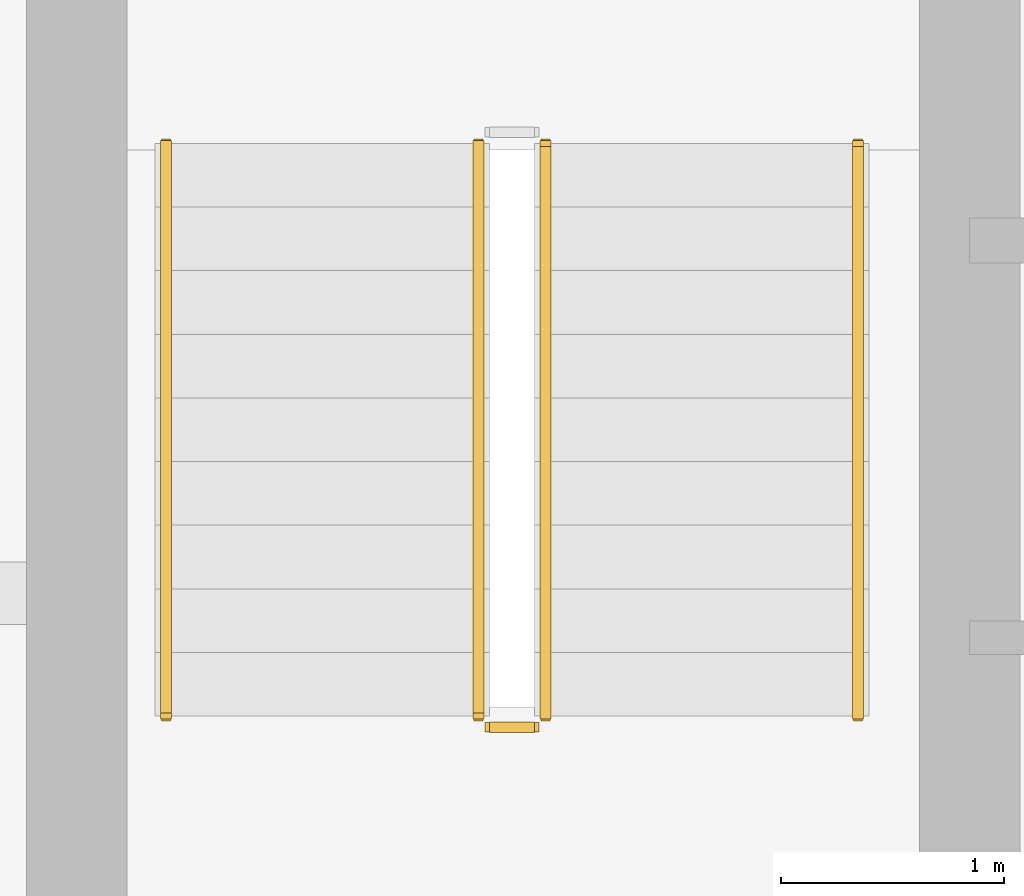
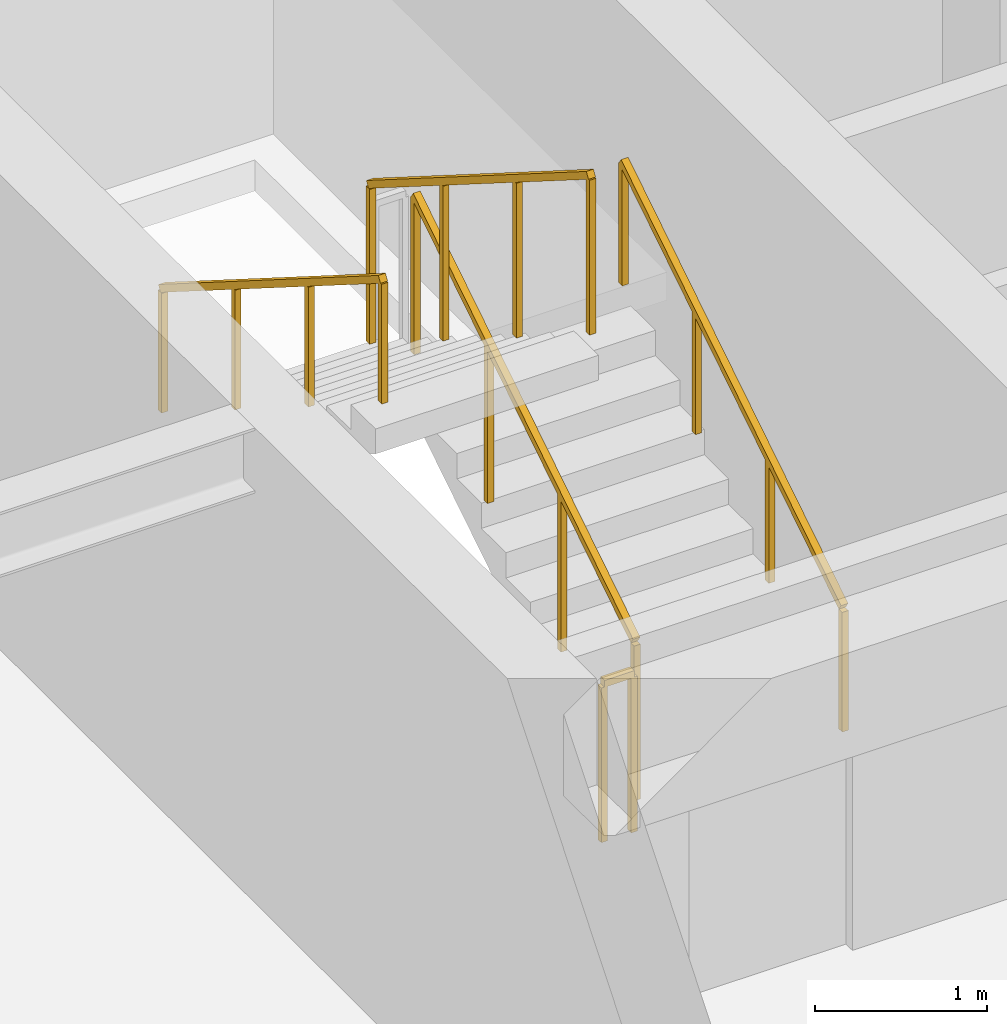
# One storey, part 25 of 27: 5 railings.
"""IFC4 building model written with IfcOpenShell, lengths in metres."""

from ifc_helpers import new_model, si_unit, direction, frame, origin, origin_2d, place, context, subcontext, project, spatial, rectangle, extrude, material, type_object, element, save


model = new_model("IFC4")

# Units and contexts
model_context = context("Model", 3, precision=1e-05, world=origin(), true_north=direction((0.0, 1.0)))
body_context = subcontext(model_context, "Body", "Model", "MODEL_VIEW")
ifc_project = project(units=[si_unit("LENGTHUNIT", "METRE"), si_unit("AREAUNIT", "SQUARE_METRE"), si_unit("VOLUMEUNIT", "CUBIC_METRE"), si_unit("PLANEANGLEUNIT", "RADIAN"), si_unit("MASSUNIT", "GRAM", prefix="KILO")], contexts=[model_context])

# Site, building, storey
site_placement = place(None, origin())
site = spatial("IfcSite", under=ifc_project, at=site_placement, CompositionType="ELEMENT")
building_placement = place(site_placement, origin())
building = spatial("IfcBuilding", under=site, at=building_placement, Name="Sarneth Arch Tower", CompositionType="ELEMENT")
storey_placement = place(building_placement, frame((0.0, 0.0, 150.60009765625)))
storey = spatial("IfcBuildingStorey", under=building, at=storey_placement, Name="L37", CompositionType="ELEMENT", Elevation=150.60009765625)

# Railings
ifc_material_1 = material(Name="Brushed Stainless Steel 304 tubular handrail", Category="steel")
railing_type_1 = type_object("IfcRailingType", Name="RAIL-HANDRAIL-900", PredefinedType="HANDRAIL", material=ifc_material_1)
railing_1_placement = place(storey_placement, frame((40.5, 41.449951171875, 0.179931640625)))
element("IfcRailing", 1, at=railing_1_placement, inside=storey, type_object=railing_type_1, Name="L37 ST-1 stair handrail 1", PredefinedType="HANDRAIL", context=body_context, shape_type="SweptSolid", body=[
    extrude(rectangle(XDim=0.048095703125, YDim=0.048095703125, at=origin_2d()), frame((0.0, 0.0, 0.8759765625), z_axis=(0.0, 0.845502289212, 0.533971796014), x_axis=(-1.0, 0.0, 0.0)), (0.0, 0.0, 1.0), 3.03369140625),
    extrude(rectangle(XDim=0.0419921875, YDim=0.0419921875, at=origin_2d()), origin(), (0.0, 0.0, 1.0), 0.851806640625),
    extrude(rectangle(XDim=0.0419921875, YDim=0.0419921875, at=origin_2d()), frame((0.0, 0.85498046875, 0.5400390625)), (0.0, 0.0, 1.0), 0.851806640625),
    extrude(rectangle(XDim=0.0419921875, YDim=0.0419921875, at=origin_2d()), frame((0.0, 1.7099609375, 1.079833984375)), (0.0, 0.0, 1.0), 0.851806640625),
    extrude(rectangle(XDim=0.0419921875, YDim=0.0419921875, at=origin_2d()), frame((0.0, 2.56494140625, 1.619873046875)), (0.0, 0.0, 1.0), 0.851806640625),
])
railing_2_placement = place(storey_placement, frame((37.39990234375, 44.014892578125, 1.97998046875)))
element("IfcRailing", 2, at=railing_2_placement, inside=storey, type_object=railing_type_1, Name="L37 ST-1 stair handrail 2", PredefinedType="HANDRAIL", context=body_context, shape_type="SweptSolid", body=[
    extrude(rectangle(XDim=0.048095703125, YDim=0.048095703125, at=origin_2d()), frame((0.0, 0.0, 0.8759765625), z_axis=(0.0, -0.845502289212, 0.533971796014), x_axis=(1.0, 0.0, 0.0)), (0.0, 0.0, 1.0), 3.03369140625),
    extrude(rectangle(XDim=0.0419921875, YDim=0.0419921875, at=origin_2d()), origin(), (0.0, 0.0, 1.0), 0.851806640625),
    extrude(rectangle(XDim=0.0419921875, YDim=0.0419921875, at=origin_2d()), frame((0.0, -0.85498046875, 0.5400390625)), (0.0, 0.0, 1.0), 0.851806640625),
    extrude(rectangle(XDim=0.0419921875, YDim=0.0419921875, at=origin_2d()), frame((0.0, -1.7099609375, 1.079833984375)), (0.0, 0.0, 1.0), 0.851806640625),
    extrude(rectangle(XDim=0.0419921875, YDim=0.0419921875, at=origin_2d()), frame((0.0, -2.56494140625, 1.619873046875)), (0.0, 0.0, 1.0), 0.851806640625),
])
ifc_material_2 = material(Name="Painted Steel S275 stair well guard", Category="steel")
railing_type_2 = type_object("IfcRailingType", Name="RAIL-STAIR-GUARD", PredefinedType="GUARDRAIL", material=ifc_material_2)
railing_3_placement = place(storey_placement, frame((39.10009765625, 41.449951171875, 0.179931640625)))
element("IfcRailing", 3, at=railing_3_placement, inside=storey, type_object=railing_type_2, Name="L37 ST-1 stair guard 1", PredefinedType="GUARDRAIL", context=body_context, shape_type="SweptSolid", body=[
    extrude(rectangle(XDim=0.048095703125, YDim=0.048095703125, at=origin_2d()), frame((0.0, 0.0, 1.1259765625), z_axis=(0.0, 0.845502289212, 0.533971796014), x_axis=(-1.0, 0.0, 0.0)), (0.0, 0.0, 1.0), 3.03369140625),
    extrude(rectangle(XDim=0.0419921875, YDim=0.0419921875, at=origin_2d()), origin(), (0.0, 0.0, 1.0), 1.101806640625),
    extrude(rectangle(XDim=0.0419921875, YDim=0.0419921875, at=origin_2d()), frame((0.0, 0.85498046875, 0.5400390625)), (0.0, 0.0, 1.0), 1.101806640625),
    extrude(rectangle(XDim=0.0419921875, YDim=0.0419921875, at=origin_2d()), frame((0.0, 1.7099609375, 1.079833984375)), (0.0, 0.0, 1.0), 1.101806640625),
    extrude(rectangle(XDim=0.0419921875, YDim=0.0419921875, at=origin_2d()), frame((0.0, 2.56494140625, 1.619873046875)), (0.0, 0.0, 1.0), 1.101806640625),
])
railing_4_placement = place(storey_placement, frame((38.800048828125, 44.014892578125, 1.97998046875)))
element("IfcRailing", 4, at=railing_4_placement, inside=storey, type_object=railing_type_2, Name="L37 ST-1 stair guard 3", PredefinedType="GUARDRAIL", context=body_context, shape_type="SweptSolid", body=[
    extrude(rectangle(XDim=0.048095703125, YDim=0.048095703125, at=origin_2d()), frame((0.0, 0.0, 1.1259765625), z_axis=(0.0, -0.845502289212, 0.533971796014), x_axis=(1.0, 0.0, 0.0)), (0.0, 0.0, 1.0), 3.03369140625),
    extrude(rectangle(XDim=0.0419921875, YDim=0.0419921875, at=origin_2d()), origin(), (0.0, 0.0, 1.0), 1.101806640625),
    extrude(rectangle(XDim=0.0419921875, YDim=0.0419921875, at=origin_2d()), frame((0.0, -0.85498046875, 0.5400390625)), (0.0, 0.0, 1.0), 1.101806640625),
    extrude(rectangle(XDim=0.0419921875, YDim=0.0419921875, at=origin_2d()), frame((0.0, -1.7099609375, 1.079833984375)), (0.0, 0.0, 1.0), 1.101806640625),
    extrude(rectangle(XDim=0.0419921875, YDim=0.0419921875, at=origin_2d()), frame((0.0, -2.56494140625, 1.619873046875)), (0.0, 0.0, 1.0), 1.101806640625),
])
railing_5_placement = place(storey_placement, frame((39.050048828125, 41.39990234375, 0.0)))
element("IfcRailing", 5, at=railing_5_placement, inside=storey, type_object=railing_type_2, Name="L37 ST-1 stair guard 4", PredefinedType="GUARDRAIL", context=body_context, shape_type="SweptSolid", body=[
    extrude(rectangle(XDim=0.048095703125, YDim=0.048095703125, at=origin_2d()), frame((0.0, 0.0, 1.1259765625), z_axis=(-1.0, 0.0, 0.0), x_axis=(0.0, -1.0, 0.0)), (0.0, 0.0, 1.0), 0.199951171875),
    extrude(rectangle(XDim=0.0419921875, YDim=0.0419921875, at=origin_2d()), origin(), (0.0, 0.0, 1.0), 1.101806640625),
    extrude(rectangle(XDim=0.0419921875, YDim=0.0419921875, at=origin_2d()), frame((-0.199951171875, 0.0, 0.0)), (0.0, 0.0, 1.0), 1.101806640625),
])

save(model, "model.ifc")
